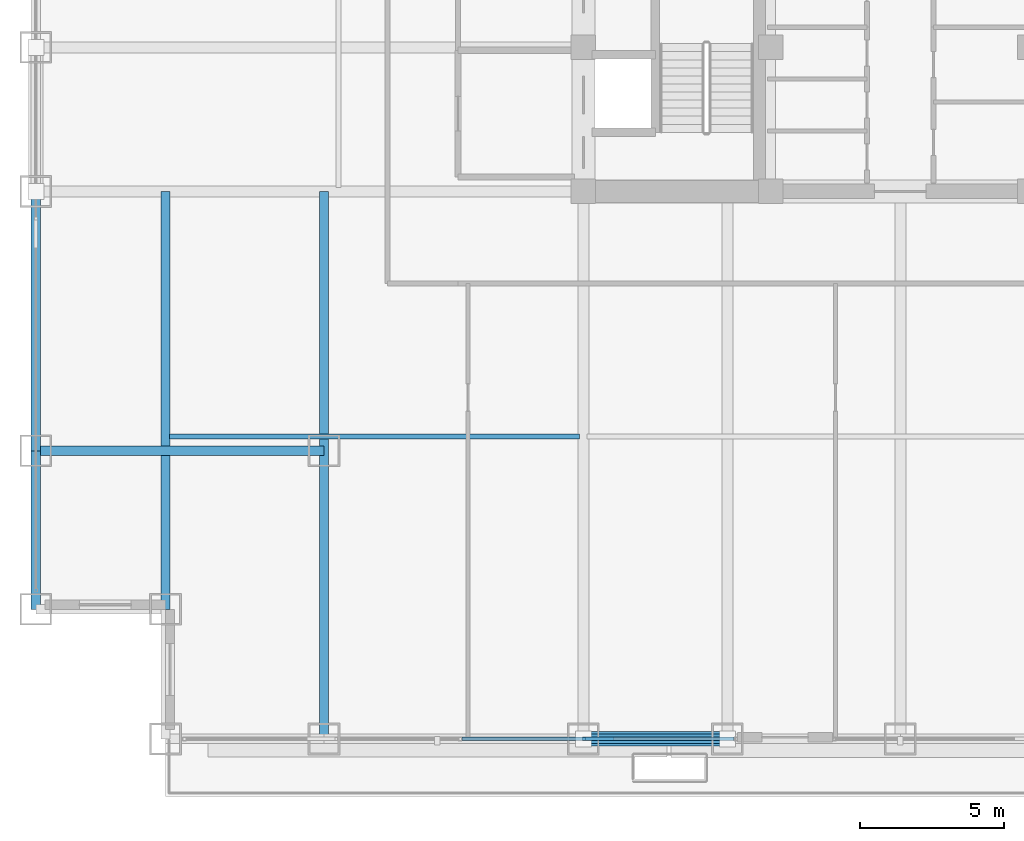
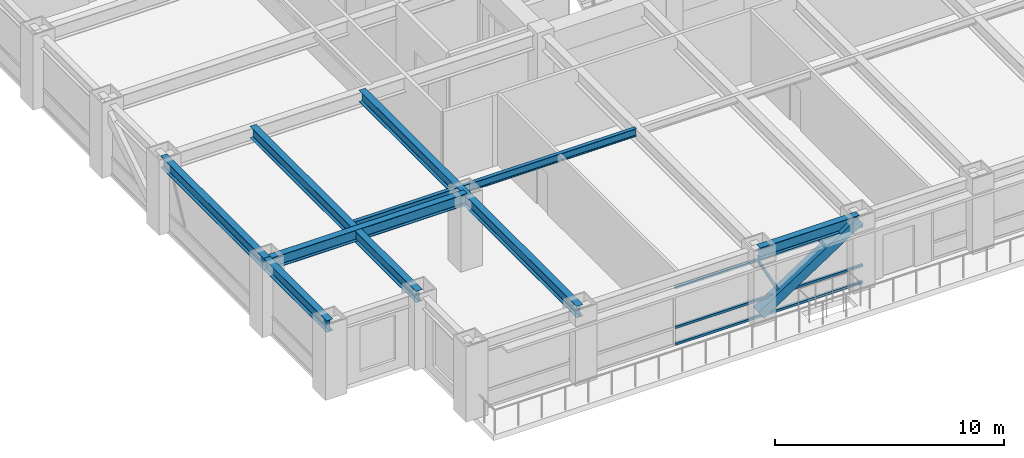
# One storey, part 4 of 35: 7 beams, 5 members, 1 element without a shape of its own.
"""IFC4 building model written with IfcOpenShell, lengths in metres."""

from ifc_helpers import new_model, si_unit, direction, frame, origin, origin_2d, place, context, subcontext, project, spatial, hollow_rectangle, i_section, extrude, source, transform, mapped, material, material_profile, profile_set, type_object, element, aggregate, save


model = new_model("IFC4")

# Units and contexts
model_context = context("Model", 3, precision=1e-05, world=origin(), true_north=direction((0.0, 1.0)))
body_context = subcontext(model_context, "Body", "Model", "MODEL_VIEW")
ifc_project = project(units=[si_unit("LENGTHUNIT", "METRE"), si_unit("AREAUNIT", "SQUARE_METRE"), si_unit("VOLUMEUNIT", "CUBIC_METRE"), si_unit("PLANEANGLEUNIT", "RADIAN"), si_unit("MASSUNIT", "GRAM", prefix="KILO")], contexts=[model_context])

# Site, building, storey
site_placement = place(None, origin())
site = spatial("IfcSite", under=ifc_project, at=site_placement, CompositionType="ELEMENT")
building_placement = place(site_placement, origin())
building = spatial("IfcBuilding", under=site, at=building_placement, Name="Khorayat Bourse Tower", CompositionType="ELEMENT")
storey_placement = place(building_placement, frame((0.0, 0.0, 155.10009765625)))
storey = spatial("IfcBuildingStorey", under=building, at=storey_placement, Name="L35", CompositionType="ELEMENT", Elevation=155.10009765625)

# Beams
ifc_material_1 = material(Name="Steel ASTM A992 Grade 50", Category="steel")
ifc_material_profile_1 = material_profile(ifc_material_1, i_section(OverallWidth=0.324951171875, OverallDepth=0.615966796875, WebThickness=0.013916015625, FlangeThickness=0.021484375, FilletRadius=0.01611328125, at=origin_2d()), Name="W610X174")
ifc_profile_set_1 = profile_set([ifc_material_profile_1], Name="Steel ASTM A992 Grade 50")
beam_type_1 = type_object("IfcBeamType", Name="BM-GIRD-610", PredefinedType="BEAM", material=ifc_profile_set_1)
shared_shape_1 = source(origin(), body_context, "Body", "SweptSolid", [
    extrude(i_section(OverallWidth=0.324951171875, OverallDepth=0.615966796875, WebThickness=0.013916015625, FlangeThickness=0.021484375, FilletRadius=0.01611328125, at=origin_2d()), origin(), (0.0, 0.0, 1.0), 19.0),
])
beam_1_placement = place(storey_placement, frame((-20.0, -30.0, 3.471923828125), z_axis=(0.0, 1.0, 0.0), x_axis=(-1.0, 0.0, 0.0)))
element("IfcBeam", 1, at=beam_1_placement, inside=storey, type_object=beam_type_1, Name="L35 BM-GIRD-610 BM-L35-CNRY-084", PredefinedType="BEAM", context=body_context, shape_type="MappedRepresentation", body=[
    mapped(shared_shape_1, transform((0.0, 0.0, 0.0), scale=1.0)),
])
shared_shape_2 = source(origin(), body_context, "Body", "SweptSolid", [
    extrude(i_section(OverallWidth=0.324951171875, OverallDepth=0.615966796875, WebThickness=0.013916015625, FlangeThickness=0.021484375, FilletRadius=0.01611328125, at=origin_2d()), origin(), (0.0, 0.0, 1.0), 14.5),
])
beam_2_placement = place(storey_placement, frame((-25.5, -25.5, 3.471923828125), z_axis=(0.0, 1.0, 0.0), x_axis=(-1.0, 0.0, 0.0)))
element("IfcBeam", 2, at=beam_2_placement, inside=storey, type_object=beam_type_1, Name="L35 BM-GIRD-610 BM-L35-CNRY-088", PredefinedType="BEAM", context=body_context, shape_type="MappedRepresentation", body=[
    mapped(shared_shape_2, transform((0.0, 0.0, 0.0), scale=1.0)),
])
shared_shape_3 = source(origin(), body_context, "Body", "SweptSolid", [
    extrude(i_section(OverallWidth=0.324951171875, OverallDepth=0.615966796875, WebThickness=0.013916015625, FlangeThickness=0.021484375, FilletRadius=0.01611328125, at=origin_2d()), origin(), (0.0, 0.0, 1.0), 10.0),
])
beam_3_placement = place(storey_placement, frame((-30.0, -20.0, 3.471923828125), z_axis=(1.0, 0.0, 0.0), x_axis=(0.0, 1.0, 0.0)))
element("IfcBeam", 3, at=beam_3_placement, inside=storey, type_object=beam_type_1, Name="L35 BM-GIRD-610 BM-L35-CNRX-093", PredefinedType="BEAM", context=body_context, shape_type="MappedRepresentation", body=[
    mapped(shared_shape_3, transform((0.0, 0.0, 0.0), scale=1.0)),
])
ifc_material_profile_2 = material_profile(ifc_material_1, i_section(OverallWidth=0.180908203125, OverallDepth=0.4169921875, WebThickness=0.010986328125, FlangeThickness=0.018310546875, FilletRadius=0.011962890625, at=origin_2d()), Name="W410X85")
ifc_profile_set_2 = profile_set([ifc_material_profile_2], Name="Steel ASTM A992 Grade 50")
beam_type_2 = type_object("IfcBeamType", Name="BM-JOIST-410", PredefinedType="JOIST", material=ifc_profile_set_2)
shared_shape_4 = source(origin(), body_context, "Body", "SweptSolid", [
    extrude(i_section(OverallWidth=0.180908203125, OverallDepth=0.4169921875, WebThickness=0.010986328125, FlangeThickness=0.018310546875, FilletRadius=0.011962890625, at=origin_2d()), origin(), (0.0, 0.0, 1.0), 14.240234375),
])
beam_4_placement = place(storey_placement, frame((-25.3701171875, -19.5, 3.5712890625), z_axis=(1.0, 0.0, 0.0), x_axis=(0.0, 1.0, 0.0)))
element("IfcBeam", 4, at=beam_4_placement, inside=storey, type_object=beam_type_2, Name="L35 BM-JOIST-410 BM-L35-JSTX-096", PredefinedType="JOIST", context=body_context, shape_type="MappedRepresentation", body=[
    mapped(shared_shape_4, transform((0.0, 0.0, 0.0), scale=1.0)),
])
ifc_material_profile_3 = material_profile(ifc_material_1, i_section(OverallWidth=0.324951171875, OverallDepth=0.615966796875, WebThickness=0.013916015625, FlangeThickness=0.021484375, FilletRadius=0.01611328125, at=origin_2d()), Name="W610X174")
ifc_profile_set_3 = profile_set([ifc_material_profile_3], Name="Steel ASTM A992 Grade 50")
beam_type_3 = type_object("IfcBeamType", Name="BM-SPAN-610", PredefinedType="SPANDREL", material=ifc_profile_set_3)
shared_shape_5 = source(origin(), body_context, "Body", "SweptSolid", [
    extrude(i_section(OverallWidth=0.324951171875, OverallDepth=0.615966796875, WebThickness=0.013916015625, FlangeThickness=0.021484375, FilletRadius=0.01611328125, at=origin_2d()), origin(), (0.0, 0.0, 1.0), 5.5),
])
beam_5_placement = place(storey_placement, frame((-30.0, -25.5, 3.471923828125), z_axis=(0.0, 1.0, 0.0), x_axis=(-1.0, 0.0, 0.0)))
element("IfcBeam", 5, at=beam_5_placement, inside=storey, type_object=beam_type_3, Name="L35 BM-SPAN-610 BM-L35-SPN-061", PredefinedType="SPANDREL", context=body_context, shape_type="MappedRepresentation", body=[
    mapped(shared_shape_5, transform((0.0, 0.0, 0.0), scale=1.0)),
])
shared_shape_6 = source(origin(), body_context, "Body", "SweptSolid", [
    extrude(i_section(OverallWidth=0.324951171875, OverallDepth=0.615966796875, WebThickness=0.013916015625, FlangeThickness=0.021484375, FilletRadius=0.01611328125, at=origin_2d()), origin(), (0.0, 0.0, 1.0), 9.0),
])
beam_6_placement = place(storey_placement, frame((-30.0, -20.0, 3.471923828125), z_axis=(0.0, 1.0, 0.0), x_axis=(-1.0, 0.0, 0.0)))
element("IfcBeam", 6, at=beam_6_placement, inside=storey, type_object=beam_type_3, Name="L35 BM-SPAN-610 BM-L35-SPN-060", PredefinedType="SPANDREL", context=body_context, shape_type="MappedRepresentation", body=[
    mapped(shared_shape_6, transform((0.0, 0.0, 0.0), scale=1.0)),
])
shared_shape_7 = source(origin(), body_context, "Body", "SweptSolid", [
    extrude(i_section(OverallWidth=0.324951171875, OverallDepth=0.615966796875, WebThickness=0.013916015625, FlangeThickness=0.021484375, FilletRadius=0.01611328125, at=origin_2d()), origin(), (0.0, 0.0, 1.0), 5.0),
])
beam_7_placement = place(storey_placement, frame((-11.0, -30.0, 3.471923828125), z_axis=(1.0, 0.0, 0.0), x_axis=(0.0, 1.0, 0.0)))
element("IfcBeam", 7, at=beam_7_placement, inside=storey, type_object=beam_type_3, Name="L35 BM-SPAN-610 BM-L35-SPN-026", PredefinedType="SPANDREL", context=body_context, shape_type="MappedRepresentation", body=[
    mapped(shared_shape_7, transform((0.0, 0.0, 0.0), scale=1.0)),
])

# Member
ifc_material_2 = material(Name="Steel EN 10025-4 S460M", Category="steel")
ifc_material_profile_4 = material_profile(ifc_material_2, hollow_rectangle(XDim=0.5, YDim=0.5, WallThickness=0.028076171875, at=origin_2d()), Name="HSS 500x500x28")
ifc_profile_set_4 = profile_set([ifc_material_profile_4], Name="Steel EN 10025-4 S460M")
member_type_1 = type_object("IfcMemberType", Name="MBR-TUBE-500", PredefinedType="BRACE", material=ifc_profile_set_4)
shared_shape_8 = source(origin(), body_context, "Body", "SweptSolid", [
    extrude(hollow_rectangle(XDim=0.5, YDim=0.5, WallThickness=0.028076171875, at=origin_2d()), origin(), (0.0, 0.0, 1.0), 5.979736328125),
])
member_1_placement = place(storey_placement, frame((-11.0, -30.0, 0.25), z_axis=(0.836160261256, 0.0, 0.548485202623), x_axis=(0.0, 1.0, 0.0)))
element("IfcMember", 8, at=member_1_placement, inside=storey, type_object=member_type_1, Name="L35 Perimeter Tube Brace 01", PredefinedType="BRACE", context=body_context, shape_type="MappedRepresentation", body=[
    mapped(shared_shape_8, transform((0.0, 0.0, 0.0), scale=1.0)),
])

# Curtain wall, members
ifc_material_3 = material(Name="Aluminium EN AW-6063 T6", Category="aluminium")
curtain_wall_type = type_object("IfcCurtainWallType", Name="CW-SYS-03", PredefinedType="NOTDEFINED", material=ifc_material_3)
curtain_wall_placement = place(storey_placement, origin())
curtain_wall = element("IfcCurtainWall", 9, at=curtain_wall_placement, inside=storey, type_object=curtain_wall_type, Name="L35 Curtain Wall CW-L35-S1", PredefinedType="NOTDEFINED")
ifc_material_profile_5 = material_profile(ifc_material_3, hollow_rectangle(XDim=0.1201171875, YDim=0.1201171875, WallThickness=0.0048828125, at=origin_2d()), Name="ALU 120x120x5")
ifc_profile_set_5 = profile_set([ifc_material_profile_5], Name="Aluminium EN AW-6063 T6")
member_type_2 = type_object("IfcMemberType", Name="CWT-HORZ-120", PredefinedType="USERDEFINED", material=ifc_profile_set_5)
shared_shape_9 = source(origin(), body_context, "Body", "SweptSolid", [
    extrude(hollow_rectangle(XDim=0.1201171875, YDim=0.1201171875, WallThickness=0.0048828125, at=origin_2d()), origin(), (0.0, 0.0, 1.0), 9.445068359375),
])
member_2_placement = place(storey_placement, frame((-15.215087890625, -30.0, 0.059814453125), z_axis=(1.0, 0.0, 0.0), x_axis=(0.0, 1.0, 0.0)))
member_2 = element("IfcMember", 10, at=member_2_placement, type_object=member_type_2, Name="CW-L35-S1 Horizontal Transom 2-1", ObjectType="TRANSOM", PredefinedType="USERDEFINED", context=body_context, shape_type="MappedRepresentation", body=[
    mapped(shared_shape_9, transform((0.0, 0.0, 0.0), scale=1.0)),
])
member_3_placement = place(storey_placement, frame((-15.215087890625, -30.0, 0.949951171875), z_axis=(1.0, 0.0, 0.0), x_axis=(0.0, 1.0, 0.0)))
member_3 = element("IfcMember", 11, at=member_3_placement, type_object=member_type_2, Name="CW-L35-S1 Horizontal Transom 2-2", ObjectType="TRANSOM", PredefinedType="USERDEFINED", context=body_context, shape_type="MappedRepresentation", body=[
    mapped(shared_shape_9, transform((0.0, 0.0, 0.0), scale=1.0)),
])
member_4_placement = place(storey_placement, frame((-15.215087890625, -30.0, 3.06982421875), z_axis=(1.0, 0.0, 0.0), x_axis=(0.0, 1.0, 0.0)))
member_4 = element("IfcMember", 12, at=member_4_placement, type_object=member_type_2, Name="CW-L35-S1 Horizontal Transom 2-3", ObjectType="TRANSOM", PredefinedType="USERDEFINED", context=body_context, shape_type="MappedRepresentation", body=[
    mapped(shared_shape_9, transform((0.0, 0.0, 0.0), scale=1.0)),
])
ifc_material_profile_6 = material_profile(ifc_material_3, hollow_rectangle(XDim=0.1201171875, YDim=0.1201171875, WallThickness=0.0048828125, at=origin_2d()), Name="ALU 120x120x5")
ifc_profile_set_6 = profile_set([ifc_material_profile_6], Name="Aluminium EN AW-6063 T6")
member_type_3 = type_object("IfcMemberType", Name="CWM-DIAG-120", PredefinedType="MULLION", material=ifc_profile_set_6)
shared_shape_10 = source(origin(), body_context, "Body", "SweptSolid", [
    extrude(hollow_rectangle(XDim=0.1201171875, YDim=0.1201171875, WallThickness=0.0048828125, at=origin_2d()), origin(), (0.0, 0.0, 1.0), 2.079345703125),
])
member_5_placement = place(storey_placement, frame((-10.00830078125, -30.0, 1.08984375), z_axis=(-0.465760949701, 0.0, 0.884910581773), x_axis=(0.0, -1.0, 0.0)))
member_5 = element("IfcMember", 13, at=member_5_placement, type_object=member_type_3, Name="CW-L35-S1 Faceted Diagonal Mullion 2", PredefinedType="MULLION", context=body_context, shape_type="MappedRepresentation", body=[
    mapped(shared_shape_10, transform((0.0, 0.0, 0.0), scale=1.0)),
])
aggregate(curtain_wall, [member_2, member_3, member_4, member_5])

save(model, "model.ifc")
